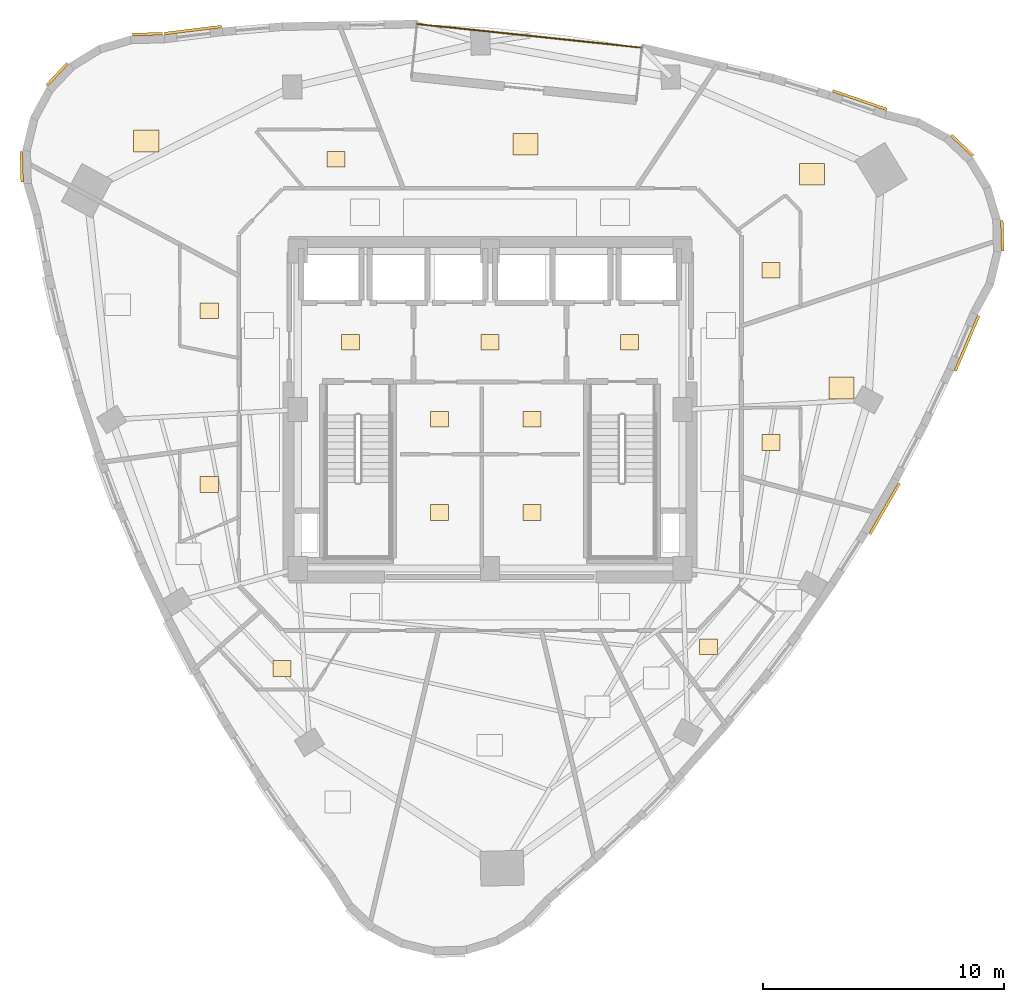
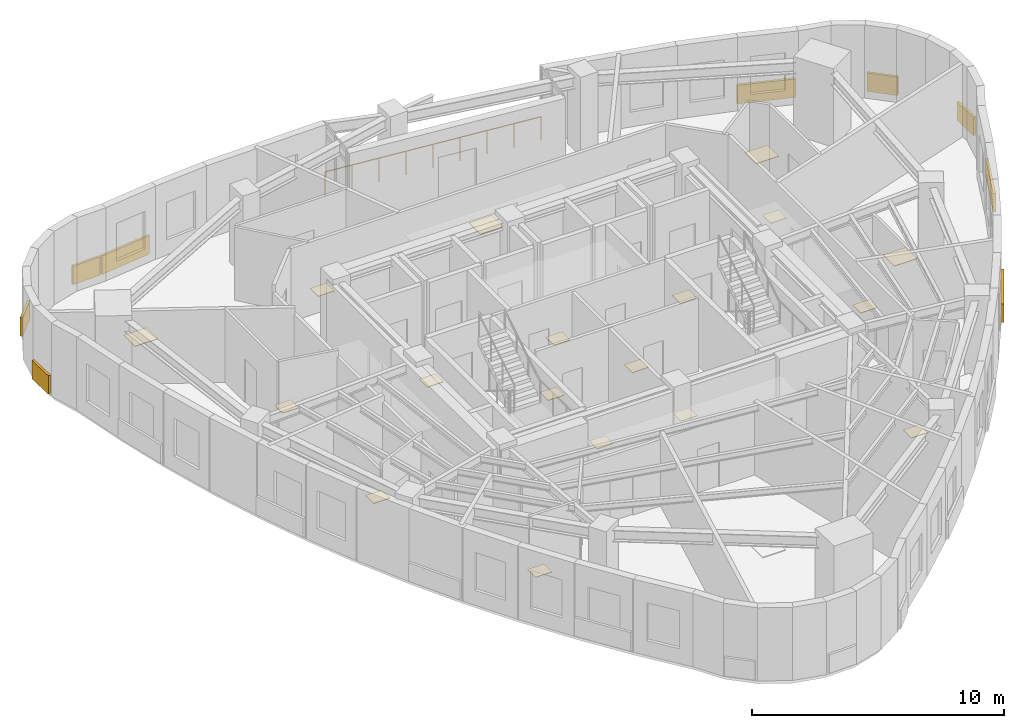
# One storey, part 11 of 11: 27 coverings, 1 railing.
"""IFC4 building model written with IfcOpenShell, lengths in metres."""

from ifc_helpers import new_model, si_unit, direction, frame, origin, origin_2d, place, context, subcontext, project, spatial, rectangle, circle, extrude, material, layer, layer_set, type_object, element, save


model = new_model("IFC4")

# Units and contexts
model_context = context("Model", 3, precision=1e-05, world=origin(), true_north=direction((0.0, 1.0)))
body_context = subcontext(model_context, "Body", "Model", "MODEL_VIEW")
ifc_project = project(units=[si_unit("LENGTHUNIT", "METRE"), si_unit("AREAUNIT", "SQUARE_METRE"), si_unit("VOLUMEUNIT", "CUBIC_METRE"), si_unit("PLANEANGLEUNIT", "RADIAN"), si_unit("MASSUNIT", "GRAM", prefix="KILO")], contexts=[model_context])

# Site, building, storey
site_placement = place(None, origin())
site = spatial("IfcSite", under=ifc_project, at=site_placement, CompositionType="ELEMENT")
building_placement = place(site_placement, origin())
building = spatial("IfcBuilding", under=site, at=building_placement, Name="Ndelora Gate Hotel", CompositionType="ELEMENT")
storey_placement = place(building_placement, frame((0.0, 0.0, 186.550048828125)))
storey = spatial("IfcBuildingStorey", under=building, at=storey_placement, Name="L46", CompositionType="ELEMENT", Elevation=186.550048828125)

# Coverings
ifc_material_1 = material(Name="Terracotta Fired Clay Brick Slip Cladding", Category="masonry")
ifc_layer_1 = layer(ifc_material_1, 0.110107421875)
ifc_layer_set_1 = layer_set([ifc_layer_1], Name="Terracotta Fired Clay Brick Slip Cladding")
covering_type_1 = type_object("IfcCoveringType", Name="COV-CLAD-BRK", PredefinedType="CLADDING", material=ifc_layer_set_1)
for number, where, z_axis, x_axis, name in (
    (1, (-14.240478515625, 15.6162109375, 0.10009765625), (0.0, 0.0, 1.0), (0.999657324976, 0.026176948308, 0.0), "L46 Rounded-Corner Brick Cladding Band 1"),
    (2, (-17.997802734375, 13.943359375, 0.10009765625), (0.0, 0.0, 1.0), (0.688354575694, 0.725374371012, 0.0), "L46 Rounded-Corner Brick Cladding Band 4"),
    (3, (-19.471923828125, 10.103515625, 0.10009765625), (0.0, 0.0, 1.0), (-0.026176948308, 0.999657324976, 0.0), "L46 Rounded-Corner Brick Cladding Band 7"),
):
    element("IfcCovering", number, at=place(storey_placement, frame(where, z_axis=z_axis, x_axis=x_axis)), inside=storey, type_object=covering_type_1, Name=name, PredefinedType="CLADDING", context=body_context, shape_type="SweptSolid", body=[
        extrude(rectangle(XDim=1.257080078125, YDim=0.110107421875, at=origin_2d()), origin(), (0.0, 0.0, 1.0), 0.89990234375),
    ])
covering_1_placement = place(storey_placement, frame((16.402099609375, -4.114990234375, 0.10009765625), z_axis=(0.0, 0.0, 1.0), x_axis=(0.500151142331, 0.865938124132, 0.0)))
element("IfcCovering", 4, at=covering_1_placement, inside=storey, type_object=covering_type_1, Name="L46 Rounded-Corner Brick Cladding Band 37", PredefinedType="CLADDING", context=body_context, shape_type="SweptSolid", body=[
    extrude(rectangle(XDim=2.428955078125, YDim=0.110107421875, at=origin_2d()), origin(), (0.0, 0.0, 1.0), 0.89990234375),
])
covering_2_placement = place(storey_placement, frame((19.8251953125, 2.758544921875, 0.10009765625), z_axis=(0.0, 0.0, 1.0), x_axis=(0.390731128489, 0.920504853452, 0.0)))
element("IfcCovering", 5, at=covering_2_placement, inside=storey, type_object=covering_type_1, Name="L46 Rounded-Corner Brick Cladding Band 40", PredefinedType="CLADDING", context=body_context, shape_type="SweptSolid", body=[
    extrude(rectangle(XDim=2.48193359375, YDim=0.110107421875, at=origin_2d()), origin(), (0.0, 0.0, 1.0), 0.89990234375),
])
for number, where, z_axis, x_axis, name in (
    (6, (21.293701171875, 7.2294921875, 0.10009765625), (0.0, 0.0, 1.0), (-0.026176948308, 0.999657324976, 0.0), "L46 Rounded-Corner Brick Cladding Band 43"),
    (7, (19.620849609375, 10.98681640625, 0.10009765625), (0.0, 0.0, 1.0), (-0.725374371012, 0.688354575694, 0.0), "L46 Rounded-Corner Brick Cladding Band 46"),
):
    element("IfcCovering", number, at=place(storey_placement, frame(where, z_axis=z_axis, x_axis=x_axis)), inside=storey, type_object=covering_type_1, Name=name, PredefinedType="CLADDING", context=body_context, shape_type="SweptSolid", body=[
        extrude(rectangle(XDim=1.257080078125, YDim=0.110107421875, at=origin_2d()), origin(), (0.0, 0.0, 1.0), 0.89990234375),
    ])
for number, where, z_axis, x_axis, name in (
    (8, (15.36474609375, 12.87109375, 0.10009765625), (0.0, 0.0, 1.0), (-0.945291055751, 0.326228171556, 0.0), "L46 Rounded-Corner Brick Cladding Band 49"),
    (9, (-12.35302734375, 15.784423828125, 0.10009765625), (0.0, 0.0, 1.0), (0.992460828919, 0.122562241583, 0.0), "L46 Rounded-Corner Brick Cladding Band 58"),
):
    element("IfcCovering", number, at=place(storey_placement, frame(where, z_axis=z_axis, x_axis=x_axis)), inside=storey, type_object=covering_type_1, Name=name, PredefinedType="CLADDING", context=body_context, shape_type="SweptSolid", body=[
        extrude(rectangle(XDim=2.37890625, YDim=0.110107421875, at=origin_2d()), origin(), (0.0, 0.0, 1.0), 0.89990234375),
    ])
ifc_material_2 = material(Name="Engineered Highland Oak Parquet", Category="wood")
ifc_layer_2 = layer(ifc_material_2, 0.030029296875)
ifc_layer_set_2 = layer_set([ifc_layer_2], Name="Engineered Highland Oak Parquet")
covering_type_2 = type_object("IfcCoveringType", Name="COV-FLR-PARQ", PredefinedType="FLOORING", material=ifc_layer_set_2)
for number, where, z_axis, x_axis, name in (
    (10, (14.604736328125, 0.9033203125, 0.0), (0.0, 0.0, 1.0), (1.0, 0.0, 0.0), "L46 Altitude King Guest Room 4902 Oak Parquet Flooring"),
    (11, (13.38671875, 9.787841796875, 0.0), (0.0, 0.0, 1.0), (1.0, 0.0, 0.0), "L46 Corner Sky Suite 4903 Oak Parquet Flooring"),
    (12, (1.473388671875, 11.032470703125, 0.0), (0.0, 0.0, 1.0), (1.0, 0.0, 0.0), "L46 Sky Garden Tea Dining Room Oak Parquet Flooring"),
    (13, (-14.2919921875, 11.16796875, 0.0), (0.0, 0.0, 1.0), (1.0, 0.0, 0.0), "L46 Grand Ambassador Suite 4904 Oak Parquet Flooring"),
):
    element("IfcCovering", number, at=place(storey_placement, frame(where, z_axis=z_axis, x_axis=x_axis)), inside=storey, type_object=covering_type_2, Name=name, PredefinedType="FLOORING", context=body_context, shape_type="SweptSolid", body=[
        extrude(rectangle(XDim=1.050048828125, YDim=0.89990234375, at=origin_2d()), origin(), (0.0, 0.0, 1.0), 0.030029296875),
    ])
ifc_material_3 = material(Name="Non-Slip Porcelain Wet-Room Tile", Category="ceramic")
ifc_layer_3 = layer(ifc_material_3, 0.02490234375)
ifc_layer_set_3 = layer_set([ifc_layer_3], Name="Non-Slip Porcelain Wet-Room Tile")
covering_type_3 = type_object("IfcCoveringType", Name="COV-FLR-TILE", PredefinedType="FLOORING", material=ifc_layer_set_3)
for number, where, z_axis, x_axis, name in (
    (14, (-5.800048828125, 2.800048828125, 0.0), (0.0, 0.0, 1.0), (1.0, 0.0, 0.0), "L46 Firefighting Lift Lobby West Porcelain Tile Flooring"),
    (15, (5.800048828125, 2.800048828125, 0.0), (0.0, 0.0, 1.0), (1.0, 0.0, 0.0), "L46 Firefighting Lift Lobby East Porcelain Tile Flooring"),
    (16, (0.0, 2.800048828125, 0.0), (0.0, 0.0, 1.0), (1.0, 0.0, 0.0), "L46 Central Passenger Lift Lobby Porcelain Tile Flooring"),
    (17, (-2.10009765625, -0.39990234375, 0.0), (0.0, 0.0, 1.0), (1.0, 0.0, 0.0), "L46 Core Electrical Closet Porcelain Tile Flooring"),
    (18, (1.75, -0.39990234375, 0.0), (0.0, 0.0, 1.0), (1.0, 0.0, 0.0), "L46 Comms Patching Store Porcelain Tile Flooring"),
    (19, (-2.10009765625, -4.27490234375, 0.0), (0.0, 0.0, 1.0), (1.0, 0.0, 0.0), "L46 Valet Laundry Store Porcelain Tile Flooring"),
    (20, (1.75, -4.27490234375, 0.0), (0.0, 0.0, 1.0), (1.0, 0.0, 0.0), "L46 Housekeeping Reserve Store Porcelain Tile Flooring"),
    (21, (9.085693359375, -9.85888671875, 0.0), (0.0, 0.0, 1.0), (1.0, 0.0, 0.0), "L46 En-suite Bathroom 4901 Porcelain Tile Flooring"),
    (22, (11.675048828125, -1.361083984375, 0.0), (0.0, 0.0, 1.0), (1.0, 0.0, 0.0), "L46 En-suite Bathroom 4902 Porcelain Tile Flooring"),
    (23, (11.675048828125, 5.8046875, 0.0), (0.0, 0.0, 1.0), (1.0, 0.0, 0.0), "L46 En-suite Bathroom 4903 Porcelain Tile Flooring"),
    (24, (-6.4130859375, 10.40869140625, 0.0), (0.0, 0.0, 1.0), (1.0, 0.0, 0.0), "L46 En-suite Bathroom 4904 Porcelain Tile Flooring"),
    (25, (-11.675048828125, 4.113037109375, 0.0), (0.0, 0.0, 1.0), (1.0, 0.0, 0.0), "L46 En-suite Bathroom 4905 Porcelain Tile Flooring"),
    (26, (-11.675048828125, -3.110595703125, 0.0), (0.0, 0.0, 1.0), (1.0, 0.0, 0.0), "L46 En-suite Bathroom 4906 Porcelain Tile Flooring"),
    (27, (-8.656494140625, -10.7568359375, 0.0), (0.0, 0.0, 1.0), (1.0, 0.0, 0.0), "L46 En-suite Bathroom 4907 Porcelain Tile Flooring"),
):
    element("IfcCovering", number, at=place(storey_placement, frame(where, z_axis=z_axis, x_axis=x_axis)), inside=storey, type_object=covering_type_3, Name=name, PredefinedType="FLOORING", context=body_context, shape_type="SweptSolid", body=[
        extrude(rectangle(XDim=0.75, YDim=0.64990234375, at=origin_2d()), origin(), (0.0, 0.0, 1.0), 0.02490234375),
    ])

# Railing
ifc_material_4 = material(Name="Laminated Safety Glass and Bronze Top Rail", Category="glass")
ifc_layer_4 = layer(ifc_material_4, 0.070068359375)
ifc_layer_set_4 = layer_set([ifc_layer_4], Name="Laminated Safety Glass and Bronze Top Rail")
railing_type = type_object("IfcRailingType", Name="RL-BAL-1150", PredefinedType="BALUSTRADE", material=ifc_layer_set_4)
railing_placement = place(storey_placement, frame((6.30810546875, 15.052978515625, 0.0)))
element("IfcRailing", 28, at=railing_placement, inside=storey, type_object=railing_type, Name="L46 Sky-Garden Loggia Terrace Balustrade", PredefinedType="BALUSTRADE", context=body_context, shape_type="SweptSolid", body=[
    extrude(circle(Radius=0.02392578125, at=origin_2d()), frame((0.0, 0.0, 1.1357421875), z_axis=(-0.994520954065, 0.104537418785, 0.0), x_axis=(-0.104537418785, -0.994520954065, 0.0)), (0.0, 0.0, 1.0), 9.400146484375),
    extrude(circle(Radius=0.02099609375, at=origin_2d()), origin(), (0.0, 0.0, 1.0), 1.11181640625),
    extrude(circle(Radius=0.02099609375, at=origin_2d()), frame((-1.16845703125, 0.122802734375, 0.0)), (0.0, 0.0, 1.0), 1.11181640625),
    extrude(circle(Radius=0.02099609375, at=origin_2d()), frame((-2.337158203125, 0.24560546875, 0.0)), (0.0, 0.0, 1.0), 1.11181640625),
    extrude(circle(Radius=0.02099609375, at=origin_2d()), frame((-3.505859375, 0.368408203125, 0.0)), (0.0, 0.0, 1.0), 1.11181640625),
    extrude(circle(Radius=0.02099609375, at=origin_2d()), frame((-4.67431640625, 0.4912109375, 0.0)), (0.0, 0.0, 1.0), 1.11181640625),
    extrude(circle(Radius=0.02099609375, at=origin_2d()), frame((-5.8427734375, 0.6142578125, 0.0)), (0.0, 0.0, 1.0), 1.11181640625),
    extrude(circle(Radius=0.02099609375, at=origin_2d()), frame((-7.011474609375, 0.737060546875, 0.0)), (0.0, 0.0, 1.0), 1.11181640625),
    extrude(circle(Radius=0.02099609375, at=origin_2d()), frame((-8.18017578125, 0.85986328125, 0.0)), (0.0, 0.0, 1.0), 1.11181640625),
    extrude(circle(Radius=0.02099609375, at=origin_2d()), frame((-9.3486328125, 0.982666015625, 0.0)), (0.0, 0.0, 1.0), 1.11181640625),
])

save(model, "model.ifc")
